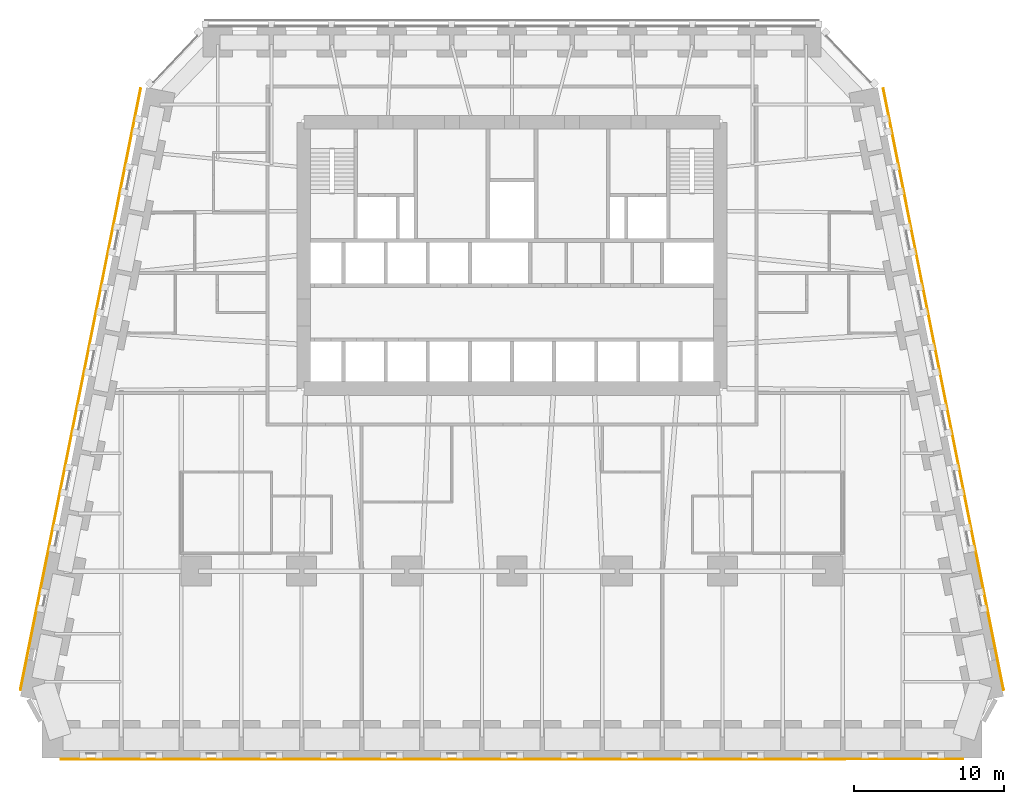
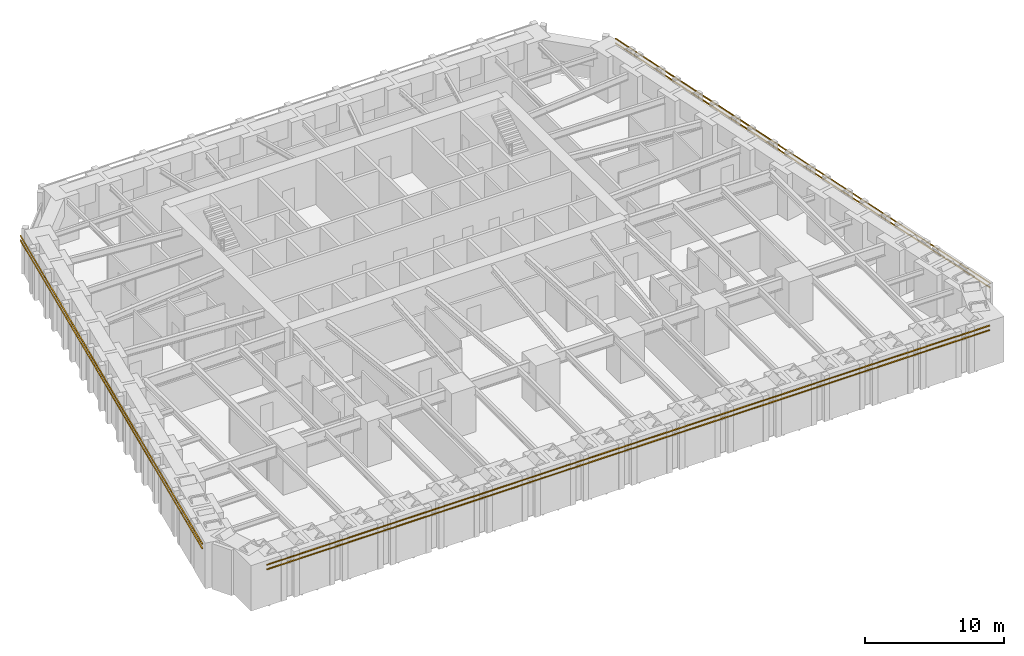
# One storey, part 15 of 16: 6 shading devices.
"""IFC4 building model written with IfcOpenShell, lengths in metres."""

from ifc_helpers import new_model, si_unit, direction, frame, origin, origin_2d, place, context, subcontext, project, spatial, rectangle, extrude, material, material_profile, profile_set, type_object, element, save


model = new_model("IFC4")

# Units and contexts
model_context = context("Model", 3, precision=1e-05, world=origin(), true_north=direction((0.0, 1.0)))
body_context = subcontext(model_context, "Body", "Model", "MODEL_VIEW")
ifc_project = project(units=[si_unit("LENGTHUNIT", "METRE"), si_unit("AREAUNIT", "SQUARE_METRE"), si_unit("VOLUMEUNIT", "CUBIC_METRE"), si_unit("PLANEANGLEUNIT", "RADIAN"), si_unit("MASSUNIT", "GRAM", prefix="KILO")], contexts=[model_context])

# Site, building, storey
site_placement = place(None, origin())
site = spatial("IfcSite", under=ifc_project, at=site_placement, CompositionType="ELEMENT")
building_placement = place(site_placement, origin())
building = spatial("IfcBuilding", under=site, at=building_placement, Name="Isbrekke Arena Tower", CompositionType="ELEMENT")
storey_placement = place(building_placement, frame((0.0, 0.0, 40.0)))
storey = spatial("IfcBuildingStorey", under=building, at=storey_placement, Name="L07", CompositionType="ELEMENT", Elevation=40.0)

# Shading devices
ifc_material = material(Name="Terracotta", Category="masonry")
ifc_material_profile = material_profile(ifc_material, rectangle(XDim=0.06005859375, YDim=0.06005859375, at=origin_2d()), Name="BAGUETTE 60X60")
ifc_profile_set = profile_set([ifc_material_profile], Name="Terracotta")
shading_device_type = type_object("IfcShadingDeviceType", Name="BG1 TERRACOTTA BAGUETTE 60 x 60", PredefinedType="USERDEFINED", material=ifc_profile_set)
for number, where, z_axis, x_axis, name in (
    (1, (-30.0, -18.5048828125, 3.280029296875), (1.0, 0.0, 0.0), (0.0, 1.0, 0.0), "BG1 terracotta baguette S1 L07"),
    (2, (-30.0, -18.5048828125, 3.679931640625), (1.0, 0.0, 0.0), (0.0, 1.0, 0.0), "BG1 terracotta baguette S2 L07"),
):
    element("IfcShadingDevice", number, at=place(storey_placement, frame(where, z_axis=z_axis, x_axis=x_axis)), inside=storey, type_object=shading_device_type, Name=name, ObjectType="TERRACOTTA BAGUETTE", PredefinedType="USERDEFINED", context=body_context, shape_type="SweptSolid", body=[
        extrude(rectangle(XDim=0.06005859375, YDim=0.06005859375, at=origin_2d()), origin(), (0.0, 0.0, 1.0), 60.0),
    ])
for number, where, z_axis, x_axis, name in (
    (3, (32.6953125, -13.90087890625, 3.280029296875), (-0.196116135138, 0.980580675691, 0.0), (-0.980580675691, -0.196116135138, 0.0), "BG1 terracotta baguette E1 L07"),
    (4, (32.6953125, -13.90087890625, 3.679931640625), (-0.196116135138, 0.980580675691, 0.0), (-0.980580675691, -0.196116135138, 0.0), "BG1 terracotta baguette E2 L07"),
    (5, (-24.6953125, 26.09912109375, 3.280029296875), (-0.196116135138, -0.980580675691, 0.0), (0.980580675691, -0.196116135138, 0.0), "BG1 terracotta baguette W1 L07"),
    (6, (-24.6953125, 26.09912109375, 3.679931640625), (-0.196116135138, -0.980580675691, 0.0), (0.980580675691, -0.196116135138, 0.0), "BG1 terracotta baguette W2 L07"),
):
    element("IfcShadingDevice", number, at=place(storey_placement, frame(where, z_axis=z_axis, x_axis=x_axis)), inside=storey, type_object=shading_device_type, Name=name, ObjectType="TERRACOTTA BAGUETTE", PredefinedType="USERDEFINED", context=body_context, shape_type="SweptSolid", body=[
        extrude(rectangle(XDim=0.06005859375, YDim=0.06005859375, at=origin_2d()), origin(), (0.0, 0.0, 1.0), 40.792236328125),
    ])

save(model, "model.ifc")
